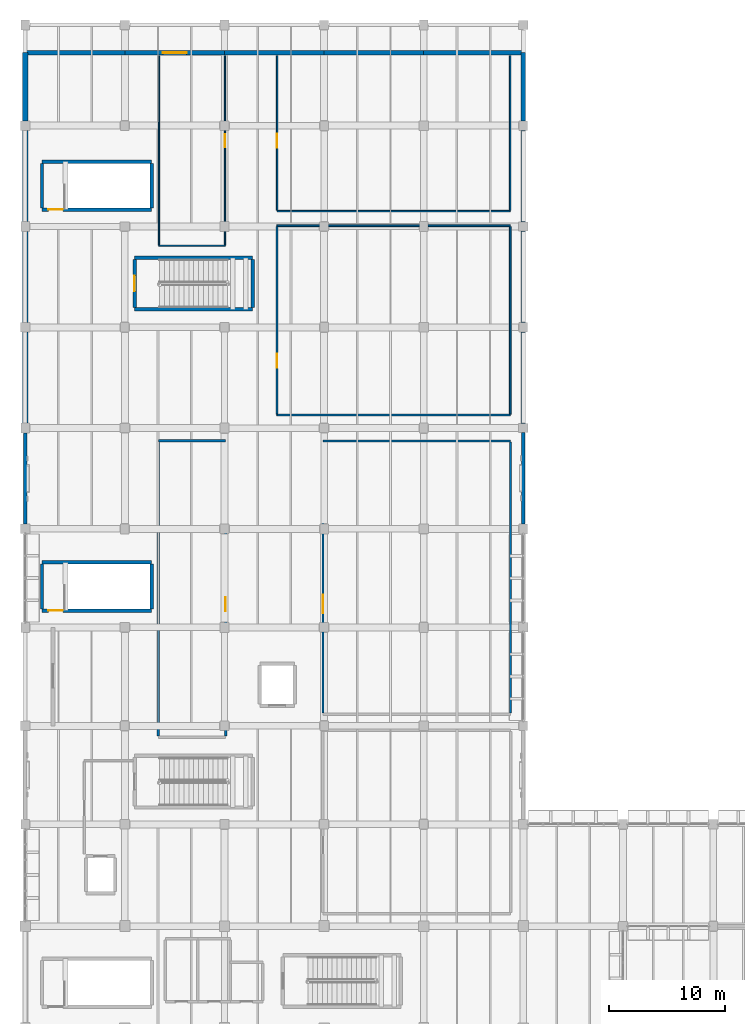
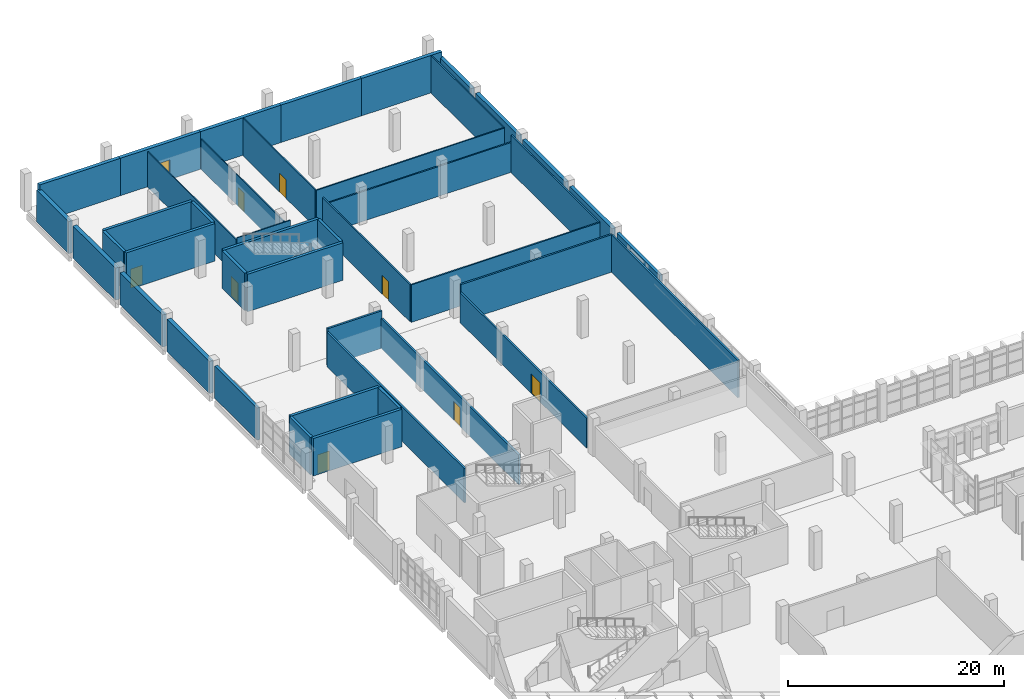
# One storey, part 61 of 76: 43 walls, 9 doors, 9 openings.
"""IFC4 building model written with IfcOpenShell, lengths in metres."""

import ifcopenshell
import ifcopenshell.guid

model = None  # the IFC model being written
_history = None  # IfcOwnerHistory: only IFC2X3 demands one
_inside = {}  # id of a spatial element -> (the spatial element, [elements in it])
_under = {}  # id of a project, library or spatial element -> (it, [spatial elements below it])
_declared = {}  # id of a project -> (the project, [libraries it declares])
_typed = {}  # id of a type object -> (the type object, [elements of that type])
_made_of = {}  # id of a material, layer set ... -> (it, [elements and type objects made of it])


def new_model(schema):
    """Start an empty IFC model of exactly this schema.

    Asked for "IFC4X3", IfcOpenShell would pick the latest addendum, in which some entities
    have other attributes; the version numbers below select the first issue.
    IFC2X3 requires an IfcOwnerHistory on every rooted entity: one is made here for all.
    """
    global model, _history
    if schema == "IFC4X3":
        model = ifcopenshell.file(schema_version=(4, 3, 0, 0))
    else:
        model = ifcopenshell.file(schema=schema)
    _inside.clear()
    _under.clear()
    _declared.clear()
    _typed.clear()
    _made_of.clear()
    _history = None
    if model.schema == "IFC2X3":
        org = make("IfcOrganization", Name="unknown")
        user = make(
            "IfcPersonAndOrganization",
            ThePerson=make("IfcPerson", FamilyName="unknown"),
            TheOrganization=org,
        )
        app = make(
            "IfcApplication",
            ApplicationDeveloper=org,
            Version="unknown",
            ApplicationFullName="unknown",
            ApplicationIdentifier="unknown",
        )
        _history = make(
            "IfcOwnerHistory",
            OwningUser=user,
            OwningApplication=app,
            ChangeAction="ADDED",
            CreationDate=0,
        )
    return model


def make(cls, **values):
    """One entity of the class cls with the attributes given. An attribute that is None is left unset."""
    return model.create_entity(
        cls, **{name: value for name, value in values.items() if value is not None}
    )


def rooted(cls, **values):
    """An entity with a GlobalId (a new one), such as an element, a storey or a relation."""
    return make(cls, GlobalId=ifcopenshell.guid.new(), OwnerHistory=_history, **values)


def si_unit(unit_type, name, prefix=None):
    """IfcSIUnit, for example si_unit("LENGTHUNIT", "METRE", prefix="MILLI")."""
    return make("IfcSIUnit", UnitType=unit_type, Prefix=prefix, Name=name)


def assignment(units):
    """IfcUnitAssignment: the units of a project."""
    return None if units is None else make("IfcUnitAssignment", Units=units)


def point(xyz):
    """IfcCartesianPoint."""
    return None if xyz is None else make("IfcCartesianPoint", Coordinates=xyz)


def direction(xyz):
    """IfcDirection."""
    return None if xyz is None else make("IfcDirection", DirectionRatios=xyz)


def frame(location, z_axis=None, x_axis=None):
    """IfcAxis2Placement3D, a coordinate frame: its origin and axes. An axis left out is left unset."""
    return make(
        "IfcAxis2Placement3D",
        Location=point(location),
        Axis=direction(z_axis),
        RefDirection=direction(x_axis),
    )


def frame_2d(location, x_axis=None):
    """IfcAxis2Placement2D, a coordinate frame in the plane: its origin and x axis."""
    return make(
        "IfcAxis2Placement2D", Location=point(location), RefDirection=direction(x_axis)
    )


def origin():
    """The frame at (0, 0, 0) with its axes left unset."""
    return frame((0.0, 0.0, 0.0))


def place(relative_to, where):
    """IfcLocalPlacement: puts the frame where relative to a parent placement (None: the world)."""
    return make(
        "IfcLocalPlacement", PlacementRelTo=relative_to, RelativePlacement=where
    )


def context(
    kind, dimensions, precision=None, world=None, true_north=None, identifier=None
):
    """IfcGeometricRepresentationContext, for example the 3D "Model" context."""
    return make(
        "IfcGeometricRepresentationContext",
        ContextIdentifier=identifier,
        ContextType=kind,
        CoordinateSpaceDimension=dimensions,
        Precision=precision,
        WorldCoordinateSystem=world,
        TrueNorth=true_north,
    )


def subcontext(parent, identifier, kind, view, scale=None):
    """IfcGeometricRepresentationSubContext, for example "Body" below "Model"."""
    return make(
        "IfcGeometricRepresentationSubContext",
        ContextIdentifier=identifier,
        ContextType=kind,
        ParentContext=parent,
        TargetScale=scale,
        TargetView=view,
    )


def project(units=None, contexts=None):
    """IfcProject with its units and contexts."""
    return rooted(
        "IfcProject",
        Name="project",
        RepresentationContexts=contexts,
        UnitsInContext=assignment(units),
    )


def spatial(cls, under=None, at=None, **own):
    """A site, building, storey or space (cls), placed at a placement, below another one or the project."""
    s = rooted(cls, ObjectPlacement=at, **own)
    if under is not None:
        _under.setdefault(under.id(), (under, []))[1].append(s)
    return s


def profile(cls, at=None, kind="AREA", **sizes):
    """A parametric profile (cls). Its sizes go by their IFC names, for example OverallWidth=200.0."""
    return make(cls, ProfileType=kind, Position=at, **sizes)


def rectangle(**sizes):
    """IfcRectangleProfileDef."""
    return profile("IfcRectangleProfileDef", **sizes)


def extrude(swept, where, along, depth):
    """IfcExtrudedAreaSolid: the profile swept, set in the frame where, extruded along a direction by depth."""
    return make(
        "IfcExtrudedAreaSolid",
        SweptArea=swept,
        Position=where,
        ExtrudedDirection=direction(along),
        Depth=depth,
    )


def shape(context_of_items, identifier, shape_type, items):
    """IfcShapeRepresentation: the items that make up one representation, for example the "Body"."""
    return make(
        "IfcShapeRepresentation",
        ContextOfItems=context_of_items,
        RepresentationIdentifier=identifier,
        RepresentationType=shape_type,
        Items=items,
    )


def material(Name=None, Category=None):
    """IfcMaterial."""
    return make("IfcMaterial", Name=Name, Category=Category)


def layer(
    of_material, thickness, ventilated=None, Name=None, Category=None, Priority=None
):
    """IfcMaterialLayer: one layer of a wall or slab, of a material (None: an air gap)."""
    return make(
        "IfcMaterialLayer",
        Material=of_material,
        LayerThickness=thickness,
        IsVentilated=ventilated,
        Name=Name,
        Category=Category,
        Priority=Priority,
    )


def layer_set(layers, Name=None):
    """IfcMaterialLayerSet."""
    return make("IfcMaterialLayerSet", MaterialLayers=layers, LayerSetName=Name)


def made_of(thing, what):
    """Note that an element or type object is made of a material, layer set ...; save() writes the relation."""
    if what is not None:
        _made_of.setdefault(what.id(), (what, []))[1].append(thing)
    return thing


def type_object(cls, material=None, **own):
    """A type object (cls), such as IfcWallType, which elements share."""
    return made_of(rooted(cls, **own), material)


def element(
    cls,
    number,
    at=None,
    inside=None,
    cuts=None,
    type_object=None,
    material=None,
    context=None,
    identifier="Body",
    shape_type=None,
    held_by="IfcProductDefinitionShape",
    body=None,
    shapes=None,
    **own,
):
    """One element of the class cls, such as IfcWall. Its Tag is "e" and its number.

    at: its placement. inside: the storey or other place that contains it. cuts: it is an
    opening in that element (IfcRelVoidsElement). A single representation is given by context,
    identifier, shape_type and body (its items); several are given by shapes. held_by: the class
    of the entity that holds the representations. save() writes the other relations.
    """
    e = rooted(cls, Tag="e%d" % number, ObjectPlacement=at, **own)
    if body is not None:
        shapes = [shape(context, identifier, shape_type, body)]
    if shapes is not None:
        e.Representation = make(held_by, Representations=shapes)
    if inside is not None:
        _inside.setdefault(inside.id(), (inside, []))[1].append(e)
    if cuts is not None:
        rooted(
            "IfcRelVoidsElement", RelatingBuildingElement=cuts, RelatedOpeningElement=e
        )
    if type_object is not None:
        _typed.setdefault(type_object.id(), (type_object, []))[1].append(e)
    return made_of(e, material)


def fill(opening, filler):
    """IfcRelFillsElement: the door or window that sits in an opening."""
    return rooted(
        "IfcRelFillsElement",
        RelatingOpeningElement=opening,
        RelatedBuildingElement=filler,
    )


def aggregate(whole, parts):
    """IfcRelAggregates: a whole, such as a stair, and the parts it consists of."""
    return rooted("IfcRelAggregates", RelatingObject=whole, RelatedObjects=parts)


def save(model, path):
    """Write the relations noted so far, then the file.

    IfcRelAggregates (storeys below a building ...), IfcRelContainedInSpatialStructure (elements
    in a storey), IfcRelDefinesByType, IfcRelAssociatesMaterial and IfcRelDeclares: one each for
    every whole, place, type object, material and project.
    """
    for whole, parts in _under.values():
        aggregate(whole, parts)
    for where, things in _inside.values():
        rooted(
            "IfcRelContainedInSpatialStructure",
            RelatedElements=things,
            RelatingStructure=where,
        )
    for kind, things in _typed.values():
        rooted("IfcRelDefinesByType", RelatedObjects=things, RelatingType=kind)
    for what, things in _made_of.values():
        rooted("IfcRelAssociatesMaterial", RelatedObjects=things, RelatingMaterial=what)
    for by, libraries in _declared.values():
        rooted("IfcRelDeclares", RelatingContext=by, RelatedDefinitions=libraries)
    model.write(path)


model = new_model("IFC4")

# Units and contexts
model_context = context("Model", 3, precision=1e-05, world=origin(), true_north=direction((0.0, 1.0)))
body_context = subcontext(model_context, "Body", "Model", "MODEL_VIEW")
ifc_project = project(units=[si_unit("LENGTHUNIT", "METRE"), si_unit("AREAUNIT", "SQUARE_METRE"), si_unit("VOLUMEUNIT", "CUBIC_METRE"), si_unit("PLANEANGLEUNIT", "RADIAN"), si_unit("MASSUNIT", "GRAM", prefix="KILO")], contexts=[model_context])

# Site, building, storey
site_placement = place(None, origin())
site = spatial("IfcSite", under=ifc_project, at=site_placement, CompositionType="ELEMENT")
building_placement = place(site_placement, origin())
building = spatial("IfcBuilding", under=site, at=building_placement, Name="Varnakota Cinema and Media Centre", CompositionType="ELEMENT")
storey_placement = place(building_placement, origin())
storey = spatial("IfcBuildingStorey", under=building, at=storey_placement, Name="L00", CompositionType="ELEMENT", Elevation=0.0)

# Walls
ifc_material_1 = material(Name="Autoclaved aerated concrete blockwork", Category="masonry")
ifc_layer_1 = layer(ifc_material_1, 0.2099609375)
ifc_layer_set_1 = layer_set([ifc_layer_1], Name="Autoclaved aerated concrete blockwork")
wall_type_1 = type_object("IfcWallType", Name="W-ACOUST-210", PredefinedType="PARTITIONING", material=ifc_layer_set_1)
wall_1_placement = place(storey_placement, frame((11.4951171875, 51.60009765625, 0.0), z_axis=(0.0, 0.0, 1.0), x_axis=(0.0, 1.0, 0.0)))
element("IfcWall", 1, at=wall_1_placement, inside=storey, type_object=wall_type_1, Name="L00 RWALL-RM-L00-FOLEY W wall", PredefinedType="PARTITIONING", context=body_context, shape_type="SweptSolid", body=[
    extrude(rectangle(XDim=25.39990234375, YDim=0.2099609375, at=frame_2d((12.699951171875, 0.0))), origin(), (0.0, 0.0, 1.0), 3.8798828125),
])
wall_2_placement = place(storey_placement, frame((11.4951171875, 77.10498046875, 0.0), z_axis=(0.0, 0.0, 1.0), x_axis=(1.0, 0.0, 0.0)))
element("IfcWall", 2, at=wall_2_placement, inside=storey, type_object=wall_type_1, Name="L00 RWALL-RM-L00-FOLEY N wall", PredefinedType="PARTITIONING", context=body_context, shape_type="SweptSolid", body=[
    extrude(rectangle(XDim=5.809814453125, YDim=0.2099609375, at=frame_2d((2.90478515625, 0.0))), origin(), (0.0, 0.0, 1.0), 4.22998046875),
])

# Wall, opening, door
wall_3_placement = place(storey_placement, frame((17.304931640625, 77.0, 0.0), z_axis=(0.0, 0.0, 1.0), x_axis=(0.0, -1.0, 0.0)))
wall_3 = element("IfcWall", 3, at=wall_3_placement, inside=storey, type_object=wall_type_1, Name="L00 RWALL-RM-L00-FOLEY E wall", PredefinedType="PARTITIONING", context=body_context, shape_type="SweptSolid", body=[
    extrude(rectangle(XDim=25.39990234375, YDim=0.2099609375, at=frame_2d((12.699951171875, 0.0))), origin(), (0.0, 0.0, 1.0), 3.3798828125),
])
opening_1_placement = place(wall_3_placement, frame((13.39990234375, 0.0, 0.0)))
opening_1 = element("IfcOpeningElement", 4, at=opening_1_placement, cuts=wall_3, Name="Opening D-055", PredefinedType="OPENING", context=body_context, shape_type="SweptSolid", body=[
    extrude(rectangle(XDim=1.199951171875, YDim=2.14990234375, at=frame_2d((0.60009765625, 1.074951171875))), frame((0.0, 0.10498046875, 0.0), z_axis=(0.0, -1.0, 0.0), x_axis=(1.0, 0.0, 0.0)), (0.0, 0.0, 1.0), 0.2099609375),
])
ifc_material_2 = material(Name="Thermally broken anodised aluminium AW-6063", Category="aluminium")
door_type_1 = type_object("IfcDoorType", Name="DR-STD-1200x2150", OperationType="NOTDEFINED", PredefinedType="DOOR", material=ifc_material_2)
door_1_placement = place(opening_1_placement, origin())
door_1 = element("IfcDoor", 5, at=door_1_placement, inside=storey, type_object=door_type_1, Name="L00 door D-055", OperationType="SINGLE_SWING_LEFT", OverallHeight=2.14990234375, OverallWidth=1.199951171875, PredefinedType="DOOR", context=body_context, shape_type="SweptSolid", body=[
    extrude(rectangle(XDim=1.199951171875, YDim=2.14990234375, at=frame_2d((0.60009765625, 1.074951171875))), frame((0.0, 0.02490234375, 0.0), z_axis=(0.0, -1.0, 0.0), x_axis=(1.0, 0.0, 0.0)), (0.0, 0.0, 1.0), 0.050048828125),
])
fill(opening_1, door_1)

# Wall
ifc_material_3 = material(Name="Concrete M40", Category="concrete")
ifc_layer_2 = layer(ifc_material_3, 0.300048828125)
ifc_layer_set_2 = layer_set([ifc_layer_2], Name="Concrete M40")
wall_type_2 = type_object("IfcWallType", Name="W-CORE-300", PredefinedType="SHEAR", material=ifc_layer_set_2)
wall_4_placement = place(storey_placement, frame((19.6298828125, 88.449951171875, 0.0), z_axis=(0.0, 0.0, 1.0), x_axis=(-1.0, 0.0, 0.0)))
element("IfcWall", 6, at=wall_4_placement, inside=storey, type_object=wall_type_2, Name="L00 CWALL-ST-05-L00 S wall", PredefinedType="SHEAR", context=body_context, shape_type="SweptSolid", body=[
    extrude(rectangle(XDim=10.179931640625, YDim=0.300048828125, at=frame_2d((5.08984375, 0.0))), origin(), (0.0, 0.0, 1.0), 4.25),
])

# Wall, opening, door
wall_5_placement = place(storey_placement, frame((9.449951171875, 88.60009765625, 0.0), z_axis=(0.0, 0.0, 1.0), x_axis=(0.0, 1.0, 0.0)))
wall_5 = element("IfcWall", 7, at=wall_5_placement, inside=storey, type_object=wall_type_2, Name="L00 CWALL-ST-05-L00 W wall", PredefinedType="SHEAR", context=body_context, shape_type="SweptSolid", body=[
    extrude(rectangle(XDim=4.14990234375, YDim=0.300048828125, at=frame_2d((2.074951171875, 0.0))), origin(), (0.0, 0.0, 1.0), 4.25),
])
opening_2_placement = place(wall_5_placement, frame((1.39990234375, 0.0, 0.0)))
opening_2 = element("IfcOpeningElement", 8, at=opening_2_placement, cuts=wall_5, Name="Opening SD-05", PredefinedType="OPENING", context=body_context, shape_type="SweptSolid", body=[
    extrude(rectangle(XDim=1.35009765625, YDim=2.199951171875, at=frame_2d((0.675048828125, 1.10009765625))), frame((0.0, 0.14990234375, 0.0), z_axis=(0.0, -1.0, 0.0), x_axis=(1.0, 0.0, 0.0)), (0.0, 0.0, 1.0), 0.300048828125),
])
ifc_material_4 = material(Name="Thermally broken anodised aluminium AW-6063", Category="aluminium")
door_type_2 = type_object("IfcDoorType", Name="DR-STAIR-1350x2200", OperationType="NOTDEFINED", PredefinedType="DOOR", material=ifc_material_4)
door_2_placement = place(opening_2_placement, origin())
door_2 = element("IfcDoor", 9, at=door_2_placement, inside=storey, type_object=door_type_2, Name="L00 door SD-05", OperationType="SINGLE_SWING_LEFT", OverallHeight=2.199951171875, OverallWidth=1.35009765625, PredefinedType="DOOR", context=body_context, shape_type="SweptSolid", body=[
    extrude(rectangle(XDim=1.35009765625, YDim=2.199951171875, at=frame_2d((0.675048828125, 1.10009765625))), frame((0.0, 0.02490234375, 0.0), z_axis=(0.0, -1.0, 0.0), x_axis=(1.0, 0.0, 0.0)), (0.0, 0.0, 1.0), 0.050048828125),
])
fill(opening_2, door_2)

# Walls
wall_6_placement = place(storey_placement, frame((9.449951171875, 92.89990234375, 0.0), z_axis=(0.0, 0.0, 1.0), x_axis=(1.0, 0.0, 0.0)))
element("IfcWall", 10, at=wall_6_placement, inside=storey, type_object=wall_type_2, Name="L00 CWALL-ST-05-L00 N wall", PredefinedType="SHEAR", context=body_context, shape_type="SweptSolid", body=[
    extrude(rectangle(XDim=10.179931640625, YDim=0.300048828125, at=frame_2d((5.08984375, 0.0))), origin(), (0.0, 0.0, 1.0), 4.25),
])
wall_7_placement = place(storey_placement, frame((19.6298828125, 92.75, 0.0), z_axis=(0.0, 0.0, 1.0), x_axis=(0.0, -1.0, 0.0)))
element("IfcWall", 11, at=wall_7_placement, inside=storey, type_object=wall_type_2, Name="L00 CWALL-ST-05-L00 E wall", PredefinedType="SHEAR", context=body_context, shape_type="SweptSolid", body=[
    extrude(rectangle(XDim=4.14990234375, YDim=0.300048828125, at=frame_2d((2.074951171875, 0.0))), origin(), (0.0, 0.0, 1.0), 4.25),
])

# Wall, opening, door
wall_8_placement = place(storey_placement, frame((10.909912109375, 62.449951171875, 0.0), z_axis=(0.0, 0.0, 1.0), x_axis=(-1.0, 0.0, 0.0)))
wall_8 = element("IfcWall", 12, at=wall_8_placement, inside=storey, type_object=wall_type_2, Name="L00 CWALL-ST-B3-L00 S wall", PredefinedType="SHEAR", context=body_context, shape_type="SweptSolid", body=[
    extrude(rectangle(XDim=9.4599609375, YDim=0.300048828125, at=frame_2d((4.72998046875, 0.0))), origin(), (0.0, 0.0, 1.0), 4.25),
])
opening_3_placement = place(wall_8_placement, frame((7.66748046875, 0.0, 0.0)))
opening_3 = element("IfcOpeningElement", 13, at=opening_3_placement, cuts=wall_8, Name="Opening SD-B3", PredefinedType="OPENING", context=body_context, shape_type="SweptSolid", body=[
    extrude(rectangle(XDim=1.25, YDim=2.14990234375, at=frame_2d((0.625, 1.074951171875))), frame((0.0, 0.14990234375, 0.0), z_axis=(0.0, -1.0, 0.0), x_axis=(1.0, 0.0, 0.0)), (0.0, 0.0, 1.0), 0.300048828125),
])
ifc_material_5 = material(Name="Thermally broken anodised aluminium AW-6063", Category="aluminium")
door_type_3 = type_object("IfcDoorType", Name="DR-STAIR-1250x2150", OperationType="NOTDEFINED", PredefinedType="DOOR", material=ifc_material_5)
door_3_placement = place(opening_3_placement, origin())
door_3 = element("IfcDoor", 14, at=door_3_placement, inside=storey, type_object=door_type_3, Name="L00 door SD-B3", OperationType="SINGLE_SWING_LEFT", OverallHeight=2.14990234375, OverallWidth=1.25, PredefinedType="DOOR", context=body_context, shape_type="SweptSolid", body=[
    extrude(rectangle(XDim=1.25, YDim=2.14990234375, at=frame_2d((0.625, 1.074951171875))), frame((0.0, 0.02490234375, 0.0), z_axis=(0.0, -1.0, 0.0), x_axis=(1.0, 0.0, 0.0)), (0.0, 0.0, 1.0), 0.050048828125),
])
fill(opening_3, door_3)

# Walls
wall_9_placement = place(storey_placement, frame((1.449951171875, 62.60009765625, 0.0), z_axis=(0.0, 0.0, 1.0), x_axis=(0.0, 1.0, 0.0)))
element("IfcWall", 15, at=wall_9_placement, inside=storey, type_object=wall_type_2, Name="L00 CWALL-ST-B3-L00 W wall", PredefinedType="SHEAR", context=body_context, shape_type="SweptSolid", body=[
    extrude(rectangle(XDim=3.849853515625, YDim=0.300048828125, at=frame_2d((1.9248046875, 0.0))), origin(), (0.0, 0.0, 1.0), 4.25),
])
wall_10_placement = place(storey_placement, frame((1.449951171875, 66.60009765625, 0.0), z_axis=(0.0, 0.0, 1.0), x_axis=(1.0, 0.0, 0.0)))
element("IfcWall", 16, at=wall_10_placement, inside=storey, type_object=wall_type_2, Name="L00 CWALL-ST-B3-L00 N wall", PredefinedType="SHEAR", context=body_context, shape_type="SweptSolid", body=[
    extrude(rectangle(XDim=9.4599609375, YDim=0.300048828125, at=frame_2d((4.72998046875, 0.0))), origin(), (0.0, 0.0, 1.0), 4.25),
])
wall_11_placement = place(storey_placement, frame((10.909912109375, 66.449951171875, 0.0), z_axis=(0.0, 0.0, 1.0), x_axis=(0.0, -1.0, 0.0)))
element("IfcWall", 17, at=wall_11_placement, inside=storey, type_object=wall_type_2, Name="L00 CWALL-ST-B3-L00 E wall", PredefinedType="SHEAR", context=body_context, shape_type="SweptSolid", body=[
    extrude(rectangle(XDim=3.849853515625, YDim=0.300048828125, at=frame_2d((1.9248046875, 0.0))), origin(), (0.0, 0.0, 1.0), 4.25),
])

# Wall, opening, door
wall_12_placement = place(storey_placement, frame((10.909912109375, 97.050048828125, 0.0), z_axis=(0.0, 0.0, 1.0), x_axis=(-1.0, 0.0, 0.0)))
wall_12 = element("IfcWall", 18, at=wall_12_placement, inside=storey, type_object=wall_type_2, Name="L00 CWALL-ST-B4-L00 S wall", PredefinedType="SHEAR", context=body_context, shape_type="SweptSolid", body=[
    extrude(rectangle(XDim=9.4599609375, YDim=0.300048828125, at=frame_2d((4.72998046875, 0.0))), origin(), (0.0, 0.0, 1.0), 4.25),
])
opening_4_placement = place(wall_12_placement, frame((7.66748046875, 0.0, 0.0)))
opening_4 = element("IfcOpeningElement", 19, at=opening_4_placement, cuts=wall_12, Name="Opening SD-B4", PredefinedType="OPENING", context=body_context, shape_type="SweptSolid", body=[
    extrude(rectangle(XDim=1.25, YDim=2.14990234375, at=frame_2d((0.625, 1.074951171875))), frame((0.0, 0.14990234375, 0.0), z_axis=(0.0, -1.0, 0.0), x_axis=(1.0, 0.0, 0.0)), (0.0, 0.0, 1.0), 0.300048828125),
])
door_4_placement = place(opening_4_placement, origin())
door_4 = element("IfcDoor", 20, at=door_4_placement, inside=storey, type_object=door_type_3, Name="L00 door SD-B4", OperationType="SINGLE_SWING_LEFT", OverallHeight=2.14990234375, OverallWidth=1.25, PredefinedType="DOOR", context=body_context, shape_type="SweptSolid", body=[
    extrude(rectangle(XDim=1.25, YDim=2.14990234375, at=frame_2d((0.625, 1.074951171875))), frame((0.0, 0.02490234375, 0.0), z_axis=(0.0, -1.0, 0.0), x_axis=(1.0, 0.0, 0.0)), (0.0, 0.0, 1.0), 0.050048828125),
])
fill(opening_4, door_4)

# Walls
wall_13_placement = place(storey_placement, frame((1.449951171875, 97.199951171875, 0.0), z_axis=(0.0, 0.0, 1.0), x_axis=(0.0, 1.0, 0.0)))
element("IfcWall", 21, at=wall_13_placement, inside=storey, type_object=wall_type_2, Name="L00 CWALL-ST-B4-L00 W wall", PredefinedType="SHEAR", context=body_context, shape_type="SweptSolid", body=[
    extrude(rectangle(XDim=3.85009765625, YDim=0.300048828125, at=frame_2d((1.925048828125, 0.0))), origin(), (0.0, 0.0, 1.0), 4.25),
])
wall_14_placement = place(storey_placement, frame((1.449951171875, 101.199951171875, 0.0), z_axis=(0.0, 0.0, 1.0), x_axis=(1.0, 0.0, 0.0)))
element("IfcWall", 22, at=wall_14_placement, inside=storey, type_object=wall_type_2, Name="L00 CWALL-ST-B4-L00 N wall", PredefinedType="SHEAR", context=body_context, shape_type="SweptSolid", body=[
    extrude(rectangle(XDim=9.4599609375, YDim=0.300048828125, at=frame_2d((4.72998046875, 0.0))), origin(), (0.0, 0.0, 1.0), 4.25),
])
wall_15_placement = place(storey_placement, frame((10.909912109375, 101.050048828125, 0.0), z_axis=(0.0, 0.0, 1.0), x_axis=(0.0, -1.0, 0.0)))
element("IfcWall", 23, at=wall_15_placement, inside=storey, type_object=wall_type_2, Name="L00 CWALL-ST-B4-L00 E wall", PredefinedType="SHEAR", context=body_context, shape_type="SweptSolid", body=[
    extrude(rectangle(XDim=3.85009765625, YDim=0.300048828125, at=frame_2d((1.925048828125, 0.0))), origin(), (0.0, 0.0, 1.0), 4.25),
])
ifc_material_6 = material(Name="Deccan grey granite ashlar", Category="masonry")
ifc_layer_3 = layer(ifc_material_6, 0.320068359375)
ifc_layer_set_3 = layer_set([ifc_layer_3], Name="Deccan grey granite ashlar")
wall_type_3 = type_object("IfcWallType", Name="W-EXT-GRAN-320", PredefinedType="SOLIDWALL", material=ifc_layer_set_3)
wall_16_placement = place(storey_placement, frame((43.0, 69.925048828125, 0.0), z_axis=(0.0, 0.0, 1.0), x_axis=(0.0, 1.0, 0.0)))
element("IfcWall", 24, at=wall_16_placement, inside=storey, type_object=wall_type_3, Name="L00 exterior wall V5-E-4", PredefinedType="SOLIDWALL", context=body_context, shape_type="SweptSolid", body=[
    extrude(rectangle(XDim=7.875, YDim=0.320068359375, at=frame_2d((3.9375, 0.0))), origin(), (0.0, 0.0, 1.0), 3.5849609375),
])
wall_17_placement = place(storey_placement, frame((0.0, 77.77490234375, 0.0), z_axis=(0.0, 0.0, 1.0), x_axis=(0.0, -1.0, 0.0)))
element("IfcWall", 25, at=wall_17_placement, inside=storey, type_object=wall_type_3, Name="L00 exterior wall V5-W-N-1", PredefinedType="SOLIDWALL", context=body_context, shape_type="SweptSolid", body=[
    extrude(rectangle(XDim=7.875, YDim=0.320068359375, at=frame_2d((3.9375, 0.0))), origin(), (0.0, 0.0, 1.0), 3.635009765625),
])
ifc_material_7 = material(Name="Deccan grey granite ashlar", Category="masonry")
ifc_layer_4 = layer(ifc_material_7, 0.3798828125)
ifc_layer_set_4 = layer_set([ifc_layer_4], Name="Deccan grey granite ashlar")
wall_type_4 = type_object("IfcWallType", Name="W-EXT-GRAN-380", PredefinedType="SOLIDWALL", material=ifc_layer_set_4)
for number, where, z_axis, x_axis, name in (
    (26, (43.0, 78.60009765625, 0.0), (0.0, 0.0, 1.0), (0.0, 1.0, 0.0), "L00 exterior wall V7-E-1"),
    (27, (43.0, 87.324951171875, 0.0), (0.0, 0.0, 1.0), (0.0, 1.0, 0.0), "L00 exterior wall V7-E-2"),
    (28, (43.0, 96.0, 0.0), (0.0, 0.0, 1.0), (0.0, 1.0, 0.0), "L00 exterior wall V7-E-3"),
):
    element("IfcWall", number, at=place(storey_placement, frame(where, z_axis=z_axis, x_axis=x_axis)), inside=storey, type_object=wall_type_4, Name=name, PredefinedType="SOLIDWALL", context=body_context, shape_type="SweptSolid", body=[
        extrude(rectangle(XDim=7.875, YDim=0.3798828125, at=frame_2d((3.9375, 0.0))), origin(), (0.0, 0.0, 1.0), 3.5849609375),
    ])
wall_18_placement = place(storey_placement, frame((43.0, 104.72509765625, 0.0), z_axis=(0.0, 0.0, 1.0), x_axis=(0.0, 1.0, 0.0)))
element("IfcWall", 29, at=wall_18_placement, inside=storey, type_object=wall_type_4, Name="L00 exterior wall V7-E-4", PredefinedType="SOLIDWALL", context=body_context, shape_type="SweptSolid", body=[
    extrude(rectangle(XDim=5.875, YDim=0.3798828125, at=frame_2d((2.9375, 0.0))), origin(), (0.0, 0.0, 1.0), 3.5849609375),
])
wall_19_placement = place(storey_placement, frame((0.0, 110.60009765625, 0.0), z_axis=(0.0, 0.0, 1.0), x_axis=(1.0, 0.0, 0.0)))
element("IfcWall", 30, at=wall_19_placement, inside=storey, type_object=wall_type_4, Name="L00 exterior wall V7-N-1", PredefinedType="SOLIDWALL", context=body_context, shape_type="SweptSolid", body=[
    extrude(rectangle(XDim=8.60009765625, YDim=0.3798828125, at=frame_2d((4.300048828125, 0.0))), origin(), (0.0, 0.0, 1.0), 4.235107421875),
])

# Wall, opening, door
wall_20_placement = place(storey_placement, frame((8.60009765625, 110.60009765625, 0.0), z_axis=(0.0, 0.0, 1.0), x_axis=(1.0, 0.0, 0.0)))
wall_20 = element("IfcWall", 31, at=wall_20_placement, inside=storey, type_object=wall_type_4, Name="L00 exterior wall V7-N-2", PredefinedType="SOLIDWALL", context=body_context, shape_type="SweptSolid", body=[
    extrude(rectangle(XDim=8.599853515625, YDim=0.3798828125, at=frame_2d((4.2998046875, 0.0))), origin(), (0.0, 0.0, 1.0), 4.235107421875),
])
opening_5_placement = place(wall_20_placement, frame((3.27490234375, 0.0, 0.0)))
opening_5 = element("IfcOpeningElement", 32, at=opening_5_placement, cuts=wall_20, Name="Opening ED-10", PredefinedType="OPENING", context=body_context, shape_type="SweptSolid", body=[
    extrude(rectangle(XDim=2.050048828125, YDim=2.199951171875, at=frame_2d((1.02490234375, 1.10009765625))), frame((0.0, 0.18994140625, 0.0), z_axis=(0.0, -1.0, 0.0), x_axis=(1.0, 0.0, 0.0)), (0.0, 0.0, 1.0), 0.3798828125),
])
ifc_material_8 = material(Name="Anodised golden-bronze aluminium AW-6063", Category="aluminium")
door_type_4 = type_object("IfcDoorType", Name="DR-EXIT-2050x2200", OperationType="DOUBLE_DOOR_SINGLE_SWING", PredefinedType="DOOR", material=ifc_material_8)
door_5_placement = place(opening_5_placement, origin())
door_5 = element("IfcDoor", 33, at=door_5_placement, inside=storey, type_object=door_type_4, Name="L00 door ED-10", OperationType="DOUBLE_DOOR_SINGLE_SWING", OverallHeight=2.199951171875, OverallWidth=2.050048828125, PredefinedType="DOOR", context=body_context, shape_type="SweptSolid", body=[
    extrude(rectangle(XDim=2.050048828125, YDim=2.199951171875, at=frame_2d((1.02490234375, 1.10009765625))), frame((0.0, 0.02490234375, 0.0), z_axis=(0.0, -1.0, 0.0), x_axis=(1.0, 0.0, 0.0)), (0.0, 0.0, 1.0), 0.050048828125),
])
fill(opening_5, door_5)

# Walls
wall_21_placement = place(storey_placement, frame((17.199951171875, 110.60009765625, 0.0), z_axis=(0.0, 0.0, 1.0), x_axis=(1.0, 0.0, 0.0)))
element("IfcWall", 34, at=wall_21_placement, inside=storey, type_object=wall_type_4, Name="L00 exterior wall V7-N-3", PredefinedType="SOLIDWALL", context=body_context, shape_type="SweptSolid", body=[
    extrude(rectangle(XDim=8.60009765625, YDim=0.3798828125, at=frame_2d((4.300048828125, 0.0))), origin(), (0.0, 0.0, 1.0), 4.235107421875),
])
wall_22_placement = place(storey_placement, frame((25.800048828125, 110.60009765625, 0.0), z_axis=(0.0, 0.0, 1.0), x_axis=(1.0, 0.0, 0.0)))
element("IfcWall", 35, at=wall_22_placement, inside=storey, type_object=wall_type_4, Name="L00 exterior wall V7-N-4", PredefinedType="SOLIDWALL", context=body_context, shape_type="SweptSolid", body=[
    extrude(rectangle(XDim=8.599853515625, YDim=0.3798828125, at=frame_2d((4.2998046875, 0.0))), origin(), (0.0, 0.0, 1.0), 4.235107421875),
])
wall_23_placement = place(storey_placement, frame((34.39990234375, 110.60009765625, 0.0), z_axis=(0.0, 0.0, 1.0), x_axis=(1.0, 0.0, 0.0)))
element("IfcWall", 36, at=wall_23_placement, inside=storey, type_object=wall_type_4, Name="L00 exterior wall V7-N-5", PredefinedType="SOLIDWALL", context=body_context, shape_type="SweptSolid", body=[
    extrude(rectangle(XDim=8.60009765625, YDim=0.3798828125, at=frame_2d((4.300048828125, 0.0))), origin(), (0.0, 0.0, 1.0), 4.235107421875),
])
ifc_material_9 = material(Name="Deccan grey granite ashlar", Category="masonry")
ifc_layer_5 = layer(ifc_material_9, 0.43994140625)
ifc_layer_set_5 = layer_set([ifc_layer_5], Name="Deccan grey granite ashlar")
wall_type_5 = type_object("IfcWallType", Name="W-EXT-HALL-440", PredefinedType="SOLIDWALL", material=ifc_layer_set_5)
wall_24_placement = place(storey_placement, frame((0.0, 110.60009765625, 0.0), z_axis=(0.0, 0.0, 1.0), x_axis=(0.0, -1.0, 0.0)))
element("IfcWall", 37, at=wall_24_placement, inside=storey, type_object=wall_type_5, Name="L00 exterior wall V7-W-1", PredefinedType="SOLIDWALL", context=body_context, shape_type="SweptSolid", body=[
    extrude(rectangle(XDim=5.900146484375, YDim=0.43994140625, at=frame_2d((2.9501953125, 0.0))), origin(), (0.0, 0.0, 1.0), 3.635009765625),
])
for number, where, z_axis, x_axis, name in (
    (38, (0.0, 103.89990234375, 0.0), (0.0, 0.0, 1.0), (0.0, -1.0, 0.0), "L00 exterior wall V7-W-2"),
    (39, (0.0, 95.175048828125, 0.0), (0.0, 0.0, 1.0), (0.0, -1.0, 0.0), "L00 exterior wall V7-W-3"),
    (40, (0.0, 86.5, 0.0), (0.0, 0.0, 1.0), (0.0, -1.0, 0.0), "L00 exterior wall V7-W-4"),
):
    element("IfcWall", number, at=place(storey_placement, frame(where, z_axis=z_axis, x_axis=x_axis)), inside=storey, type_object=wall_type_5, Name=name, PredefinedType="SOLIDWALL", context=body_context, shape_type="SweptSolid", body=[
        extrude(rectangle(XDim=7.875, YDim=0.43994140625, at=frame_2d((3.9375, 0.0))), origin(), (0.0, 0.0, 1.0), 3.635009765625),
    ])
ifc_material_10 = material(Name="Autoclaved aerated concrete blockwork", Category="masonry")
ifc_layer_6 = layer(ifc_material_10, 0.110107421875)
ifc_layer_set_6 = layer_set([ifc_layer_6], Name="Autoclaved aerated concrete blockwork")
wall_type_6 = type_object("IfcWallType", Name="W-PART-110", PredefinedType="PARTITIONING", material=ifc_layer_set_6)
wall_25_placement = place(storey_placement, frame((17.2548828125, 93.945068359375, 0.0), z_axis=(0.0, 0.0, 1.0), x_axis=(-1.0, 0.0, 0.0)))
element("IfcWall", 41, at=wall_25_placement, inside=storey, type_object=wall_type_6, Name="L00 RWALL-RM-L00-EDIT1 S wall", PredefinedType="PARTITIONING", context=body_context, shape_type="SweptSolid", body=[
    extrude(rectangle(XDim=5.7099609375, YDim=0.110107421875, at=frame_2d((2.85498046875, 0.0))), origin(), (0.0, 0.0, 1.0), 4.22998046875),
])
wall_26_placement = place(storey_placement, frame((11.544921875, 94.0, 0.0), z_axis=(0.0, 0.0, 1.0), x_axis=(0.0, 1.0, 0.0)))
element("IfcWall", 42, at=wall_26_placement, inside=storey, type_object=wall_type_6, Name="L00 RWALL-RM-L00-EDIT1 W wall", PredefinedType="PARTITIONING", context=body_context, shape_type="SweptSolid", body=[
    extrude(rectangle(XDim=16.35009765625, YDim=0.110107421875, at=frame_2d((8.175048828125, 0.0))), origin(), (0.0, 0.0, 1.0), 4.0048828125),
])

# Wall, opening, door
wall_27_placement = place(storey_placement, frame((17.2548828125, 110.35009765625, 0.0), z_axis=(0.0, 0.0, 1.0), x_axis=(0.0, -1.0, 0.0)))
wall_27 = element("IfcWall", 43, at=wall_27_placement, inside=storey, type_object=wall_type_6, Name="L00 RWALL-RM-L00-EDIT1 E wall", PredefinedType="PARTITIONING", context=body_context, shape_type="SweptSolid", body=[
    extrude(rectangle(XDim=16.35009765625, YDim=0.110107421875, at=frame_2d((8.175048828125, 0.0))), origin(), (0.0, 0.0, 1.0), 3.429931640625),
])
opening_6_placement = place(wall_27_placement, frame((6.800048828125, 0.0, 0.0)))
opening_6 = element("IfcOpeningElement", 44, at=opening_6_placement, cuts=wall_27, Name="Opening D-058", PredefinedType="OPENING", context=body_context, shape_type="SweptSolid", body=[
    extrude(rectangle(XDim=1.10009765625, YDim=2.10009765625, at=frame_2d((0.550048828125, 1.050048828125))), frame((0.0, 0.05517578125, 0.0), z_axis=(0.0, -1.0, 0.0), x_axis=(1.0, 0.0, 0.0)), (0.0, 0.0, 1.0), 0.110107421875),
])
ifc_material_11 = material(Name="Thermally broken anodised aluminium AW-6063", Category="aluminium")
door_type_5 = type_object("IfcDoorType", Name="DR-STD-1100x2100", OperationType="NOTDEFINED", PredefinedType="DOOR", material=ifc_material_11)
door_6_placement = place(opening_6_placement, origin())
door_6 = element("IfcDoor", 45, at=door_6_placement, inside=storey, type_object=door_type_5, Name="L00 door D-058", OperationType="SINGLE_SWING_RIGHT", OverallHeight=2.10009765625, OverallWidth=1.10009765625, PredefinedType="DOOR", context=body_context, shape_type="SweptSolid", body=[
    extrude(rectangle(XDim=1.10009765625, YDim=2.10009765625, at=frame_2d((0.550048828125, 1.050048828125))), frame((0.0, 0.02490234375, 0.0), z_axis=(0.0, -1.0, 0.0), x_axis=(1.0, 0.0, 0.0)), (0.0, 0.0, 1.0), 0.050048828125),
])
fill(opening_6, door_6)

# Wall
ifc_material_12 = material(Name="Autoclaved aerated concrete blockwork", Category="masonry")
ifc_layer_7 = layer(ifc_material_12, 0.1298828125)
ifc_layer_set_7 = layer_set([ifc_layer_7], Name="Autoclaved aerated concrete blockwork")
wall_type_7 = type_object("IfcWallType", Name="W-PART-130", PredefinedType="PARTITIONING", material=ifc_layer_set_7)
wall_28_placement = place(storey_placement, frame((41.864990234375, 96.93505859375, 0.0), z_axis=(0.0, 0.0, 1.0), x_axis=(-1.0, 0.0, 0.0)))
element("IfcWall", 46, at=wall_28_placement, inside=storey, type_object=wall_type_7, Name="L00 RWALL-RM-L00-INGEST S wall", PredefinedType="PARTITIONING", context=body_context, shape_type="SweptSolid", body=[
    extrude(rectangle(XDim=20.1298828125, YDim=0.1298828125, at=frame_2d((10.06494140625, 0.0))), origin(), (0.0, 0.0, 1.0), 4.22998046875),
])

# Wall, opening, door
wall_29_placement = place(storey_placement, frame((21.735107421875, 97.0, 0.0), z_axis=(0.0, 0.0, 1.0), x_axis=(0.0, 1.0, 0.0)))
wall_29 = element("IfcWall", 47, at=wall_29_placement, inside=storey, type_object=wall_type_7, Name="L00 RWALL-RM-L00-INGEST W wall", PredefinedType="PARTITIONING", context=body_context, shape_type="SweptSolid", body=[
    extrude(rectangle(XDim=13.35009765625, YDim=0.1298828125, at=frame_2d((6.675048828125, 0.0))), origin(), (0.0, 0.0, 1.0), 4.22998046875),
])
opening_7_placement = place(wall_29_placement, frame((5.39990234375, 0.0, 0.0)))
opening_7 = element("IfcOpeningElement", 48, at=opening_7_placement, cuts=wall_29, Name="Opening D-057", PredefinedType="OPENING", context=body_context, shape_type="SweptSolid", body=[
    extrude(rectangle(XDim=1.199951171875, YDim=2.14990234375, at=frame_2d((0.60009765625, 1.074951171875))), frame((0.0, 0.06494140625, 0.0), z_axis=(0.0, -1.0, 0.0), x_axis=(1.0, 0.0, 0.0)), (0.0, 0.0, 1.0), 0.1298828125),
])
door_7_placement = place(opening_7_placement, origin())
door_7 = element("IfcDoor", 49, at=door_7_placement, inside=storey, type_object=door_type_1, Name="L00 door D-057", OperationType="SINGLE_SWING_LEFT", OverallHeight=2.14990234375, OverallWidth=1.199951171875, PredefinedType="DOOR", context=body_context, shape_type="SweptSolid", body=[
    extrude(rectangle(XDim=1.199951171875, YDim=2.14990234375, at=frame_2d((0.60009765625, 1.074951171875))), frame((0.0, 0.02490234375, 0.0), z_axis=(0.0, -1.0, 0.0), x_axis=(1.0, 0.0, 0.0)), (0.0, 0.0, 1.0), 0.050048828125),
])
fill(opening_7, door_7)

# Walls
wall_30_placement = place(storey_placement, frame((41.864990234375, 110.35009765625, 0.0), z_axis=(0.0, 0.0, 1.0), x_axis=(0.0, -1.0, 0.0)))
element("IfcWall", 50, at=wall_30_placement, inside=storey, type_object=wall_type_7, Name="L00 RWALL-RM-L00-INGEST E wall", PredefinedType="PARTITIONING", context=body_context, shape_type="SweptSolid", body=[
    extrude(rectangle(XDim=13.35009765625, YDim=0.1298828125, at=frame_2d((6.675048828125, 0.0))), origin(), (0.0, 0.0, 1.0), 4.22998046875),
])
ifc_material_13 = material(Name="Autoclaved aerated concrete blockwork", Category="masonry")
ifc_layer_8 = layer(ifc_material_13, 0.14990234375)
ifc_layer_set_8 = layer_set([ifc_layer_8], Name="Autoclaved aerated concrete blockwork")
wall_type_8 = type_object("IfcWallType", Name="W-PART-150", PredefinedType="PARTITIONING", material=ifc_layer_set_8)
wall_31_placement = place(storey_placement, frame((41.875, 79.324951171875, 0.0), z_axis=(0.0, 0.0, 1.0), x_axis=(-1.0, 0.0, 0.0)))
element("IfcWall", 51, at=wall_31_placement, inside=storey, type_object=wall_type_8, Name="L00 RWALL-RM-L00-GREEN1 S wall", PredefinedType="PARTITIONING", context=body_context, shape_type="SweptSolid", body=[
    extrude(rectangle(XDim=20.14990234375, YDim=0.14990234375, at=frame_2d((10.074951171875, 0.0))), origin(), (0.0, 0.0, 1.0), 4.22998046875),
])

# Wall, opening, door
wall_32_placement = place(storey_placement, frame((21.72509765625, 79.39990234375, 0.0), z_axis=(0.0, 0.0, 1.0), x_axis=(0.0, 1.0, 0.0)))
wall_32 = element("IfcWall", 52, at=wall_32_placement, inside=storey, type_object=wall_type_8, Name="L00 RWALL-RM-L00-GREEN1 W wall", PredefinedType="PARTITIONING", context=body_context, shape_type="SweptSolid", body=[
    extrude(rectangle(XDim=16.2001953125, YDim=0.14990234375, at=frame_2d((8.10009765625, 0.0))), origin(), (0.0, 0.0, 1.0), 4.22998046875),
])
opening_8_placement = place(wall_32_placement, frame((4.0, 0.0, 0.0)))
opening_8 = element("IfcOpeningElement", 53, at=opening_8_placement, cuts=wall_32, Name="Opening D-056", PredefinedType="OPENING", context=body_context, shape_type="SweptSolid", body=[
    extrude(rectangle(XDim=1.199951171875, YDim=2.14990234375, at=frame_2d((0.60009765625, 1.074951171875))), frame((0.0, 0.074951171875, 0.0), z_axis=(0.0, -1.0, 0.0), x_axis=(1.0, 0.0, 0.0)), (0.0, 0.0, 1.0), 0.14990234375),
])
door_8_placement = place(opening_8_placement, origin())
door_8 = element("IfcDoor", 54, at=door_8_placement, inside=storey, type_object=door_type_1, Name="L00 door D-056", OperationType="SINGLE_SWING_RIGHT", OverallHeight=2.14990234375, OverallWidth=1.199951171875, PredefinedType="DOOR", context=body_context, shape_type="SweptSolid", body=[
    extrude(rectangle(XDim=1.199951171875, YDim=2.14990234375, at=frame_2d((0.60009765625, 1.074951171875))), frame((0.0, 0.02490234375, 0.0), z_axis=(0.0, -1.0, 0.0), x_axis=(1.0, 0.0, 0.0)), (0.0, 0.0, 1.0), 0.050048828125),
])
fill(opening_8, door_8)

# Walls
wall_33_placement = place(storey_placement, frame((21.72509765625, 95.675048828125, 0.0), z_axis=(0.0, 0.0, 1.0), x_axis=(1.0, 0.0, 0.0)))
element("IfcWall", 55, at=wall_33_placement, inside=storey, type_object=wall_type_8, Name="L00 RWALL-RM-L00-GREEN1 N wall", PredefinedType="PARTITIONING", context=body_context, shape_type="SweptSolid", body=[
    extrude(rectangle(XDim=20.14990234375, YDim=0.14990234375, at=frame_2d((10.074951171875, 0.0))), origin(), (0.0, 0.0, 1.0), 3.3798828125),
])
wall_34_placement = place(storey_placement, frame((41.875, 95.60009765625, 0.0), z_axis=(0.0, 0.0, 1.0), x_axis=(0.0, -1.0, 0.0)))
element("IfcWall", 56, at=wall_34_placement, inside=storey, type_object=wall_type_8, Name="L00 RWALL-RM-L00-GREEN1 E wall", PredefinedType="PARTITIONING", context=body_context, shape_type="SweptSolid", body=[
    extrude(rectangle(XDim=16.2001953125, YDim=0.14990234375, at=frame_2d((8.10009765625, 0.0))), origin(), (0.0, 0.0, 1.0), 4.22998046875),
])

# Wall, opening, door
ifc_material_14 = material(Name="Autoclaved aerated concrete blockwork", Category="masonry")
ifc_layer_9 = layer(ifc_material_14, 0.18994140625)
ifc_layer_set_9 = layer_set([ifc_layer_9], Name="Autoclaved aerated concrete blockwork")
wall_type_9 = type_object("IfcWallType", Name="W-PART-190", PredefinedType="PARTITIONING", material=ifc_layer_set_9)
wall_35_placement = place(storey_placement, frame((25.705078125, 53.60009765625, 0.0), z_axis=(0.0, 0.0, 1.0), x_axis=(0.0, 1.0, 0.0)))
wall_35 = element("IfcWall", 57, at=wall_35_placement, inside=storey, type_object=wall_type_9, Name="L00 RWALL-RM-L00-STAGEB W wall", PredefinedType="PARTITIONING", context=body_context, shape_type="SweptSolid", body=[
    extrude(rectangle(XDim=23.39990234375, YDim=0.18994140625, at=frame_2d((11.699951171875, 0.0))), origin(), (0.0, 0.0, 1.0), 3.3798828125),
])
opening_9_placement = place(wall_35_placement, frame((8.60009765625, 0.0, 0.0)))
opening_9 = element("IfcOpeningElement", 58, at=opening_9_placement, cuts=wall_35, Name="Opening D-054", PredefinedType="OPENING", context=body_context, shape_type="SweptSolid", body=[
    extrude(rectangle(XDim=1.60009765625, YDim=2.199951171875, at=frame_2d((0.800048828125, 1.10009765625))), frame((0.0, 0.094970703125, 0.0), z_axis=(0.0, -1.0, 0.0), x_axis=(1.0, 0.0, 0.0)), (0.0, 0.0, 1.0), 0.18994140625),
])
ifc_material_15 = material(Name="Thermally broken anodised aluminium AW-6063", Category="aluminium")
door_type_6 = type_object("IfcDoorType", Name="DR-STD-1600x2200", OperationType="DOUBLE_DOOR_SINGLE_SWING", PredefinedType="DOOR", material=ifc_material_15)
door_9_placement = place(opening_9_placement, origin())
door_9 = element("IfcDoor", 59, at=door_9_placement, inside=storey, type_object=door_type_6, Name="L00 door D-054", OperationType="DOUBLE_DOOR_SINGLE_SWING", OverallHeight=2.199951171875, OverallWidth=1.60009765625, PredefinedType="DOOR", context=body_context, shape_type="SweptSolid", body=[
    extrude(rectangle(XDim=1.60009765625, YDim=2.199951171875, at=frame_2d((0.800048828125, 1.10009765625))), frame((0.0, 0.02490234375, 0.0), z_axis=(0.0, -1.0, 0.0), x_axis=(1.0, 0.0, 0.0)), (0.0, 0.0, 1.0), 0.050048828125),
])
fill(opening_9, door_9)

# Walls
wall_36_placement = place(storey_placement, frame((25.705078125, 77.094970703125, 0.0), z_axis=(0.0, 0.0, 1.0), x_axis=(1.0, 0.0, 0.0)))
element("IfcWall", 60, at=wall_36_placement, inside=storey, type_object=wall_type_9, Name="L00 RWALL-RM-L00-STAGEB N wall", PredefinedType="PARTITIONING", context=body_context, shape_type="SweptSolid", body=[
    extrude(rectangle(XDim=16.18994140625, YDim=0.18994140625, at=frame_2d((8.094970703125, 0.0))), origin(), (0.0, 0.0, 1.0), 4.22998046875),
])
wall_37_placement = place(storey_placement, frame((41.89501953125, 77.0, 0.0), z_axis=(0.0, 0.0, 1.0), x_axis=(0.0, -1.0, 0.0)))
element("IfcWall", 61, at=wall_37_placement, inside=storey, type_object=wall_type_9, Name="L00 RWALL-RM-L00-STAGEB E wall", PredefinedType="PARTITIONING", context=body_context, shape_type="SweptSolid", body=[
    extrude(rectangle(XDim=23.39990234375, YDim=0.18994140625, at=frame_2d((11.699951171875, 0.0))), origin(), (0.0, 0.0, 1.0), 4.22998046875),
])

save(model, "model.ifc")
